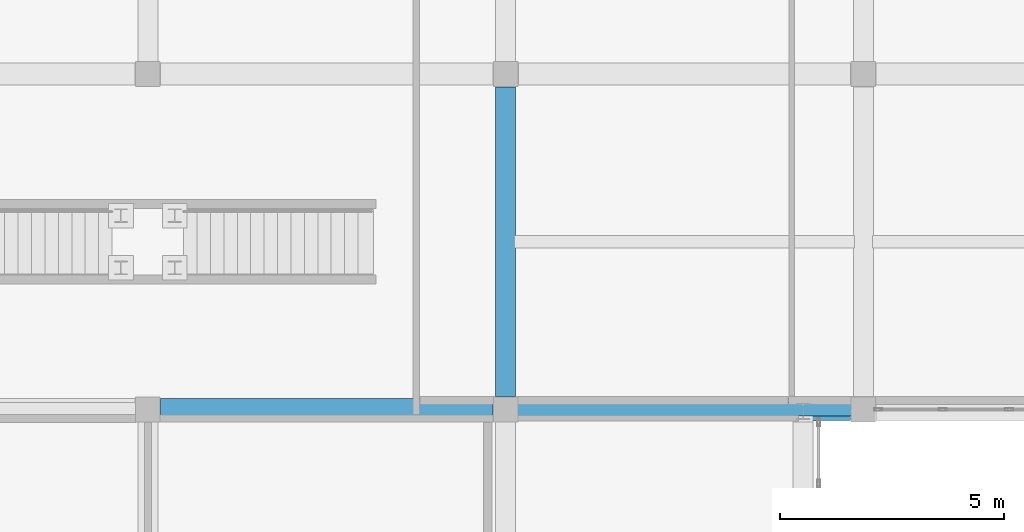
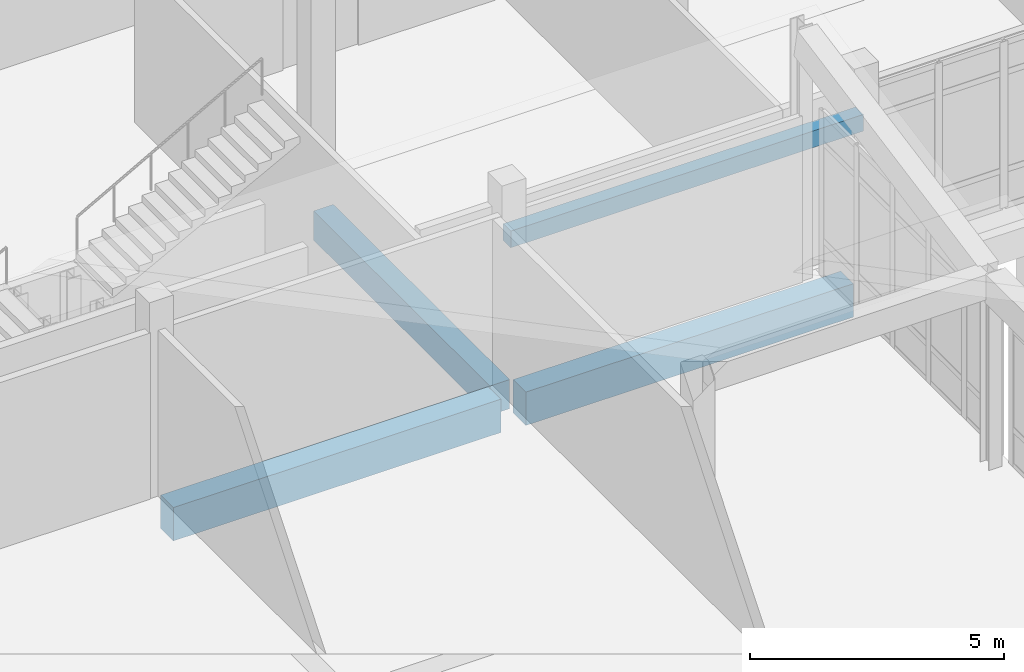
# One storey, part 109 of 173: 4 beams.
"""IFC4 building model written with IfcOpenShell, lengths in metres."""

from ifc_helpers import new_model, si_unit, direction, frame, origin, origin_2d, place, context, subcontext, project, spatial, rectangle, extrude, material, material_profile, profile_set, type_object, element, save


model = new_model("IFC4")

# Units and contexts
model_context = context("Model", 3, precision=1e-05, world=origin(), true_north=direction((0.0, 1.0)))
body_context = subcontext(model_context, "Body", "Model", "MODEL_VIEW")
ifc_project = project(units=[si_unit("LENGTHUNIT", "METRE"), si_unit("AREAUNIT", "SQUARE_METRE"), si_unit("VOLUMEUNIT", "CUBIC_METRE"), si_unit("PLANEANGLEUNIT", "RADIAN"), si_unit("MASSUNIT", "GRAM", prefix="KILO")], contexts=[model_context])

# Site, building, storey
site_placement = place(None, origin())
site = spatial("IfcSite", under=ifc_project, at=site_placement, CompositionType="ELEMENT")
building_placement = place(site_placement, origin())
building = spatial("IfcBuilding", under=site, at=building_placement, Name="Mawjan Specialist Oncology Clinic", CompositionType="ELEMENT")
storey_placement = place(building_placement, origin())
storey = spatial("IfcBuildingStorey", under=building, at=storey_placement, Name="L00", CompositionType="ELEMENT", Elevation=0.0)

# Beams
ifc_material_1 = material(Name="Concrete C40/50", Category="concrete")
ifc_material_profile_1 = material_profile(ifc_material_1, rectangle(XDim=0.449951171875, YDim=0.699951171875, at=origin_2d()), Name="RC BM 450x700", Category="concrete")
ifc_profile_set_1 = profile_set([ifc_material_profile_1], Name="Concrete C40/50")
beam_type_1 = type_object("IfcBeamType", Name="BM-450x700", PredefinedType="BEAM", material=ifc_profile_set_1)
beam_1_placement = place(storey_placement, frame((132.0, 76.0849609375, -0.800048828125), z_axis=(0.0, 1.0, 0.0), x_axis=(-1.0, 0.0, 0.0)))
element("IfcBeam", 1, at=beam_1_placement, inside=storey, type_object=beam_type_1, Name="L00 Collector Beam BM-L00-0197", PredefinedType="BEAM", context=body_context, shape_type="SweptSolid", body=[
    extrude(rectangle(XDim=0.449951171875, YDim=0.699951171875, at=origin_2d()), origin(), (0.0, 0.0, 1.0), 6.929931640625),
])
ifc_material_2 = material(Name="Concrete C45/55", Category="concrete")
ifc_material_profile_2 = material_profile(ifc_material_2, rectangle(XDim=0.5, YDim=0.800048828125, at=origin_2d()), Name="RC BM 500x800", Category="concrete")
ifc_profile_set_2 = profile_set([ifc_material_profile_2], Name="Concrete C45/55")
beam_type_2 = type_object("IfcBeamType", Name="BM-500x800", PredefinedType="BEAM", material=ifc_profile_set_2)
for number, where, z_axis, x_axis, name in (
    (2, (124.284912109375, 75.800048828125, -0.820068359375), (1.0, 0.0, 0.0), (0.0, 1.0, 0.0), "L00 Collector Beam BM-L00-0021"),
    (3, (132.284912109375, 75.800048828125, -0.85009765625), (1.0, 0.0, 0.0), (0.0, 1.0, 0.0), "L00 Collector Beam BM-L00-0022"),
):
    element("IfcBeam", number, at=place(storey_placement, frame(where, z_axis=z_axis, x_axis=x_axis)), inside=storey, type_object=beam_type_2, Name=name, PredefinedType="BEAM", context=body_context, shape_type="SweptSolid", body=[
        extrude(rectangle(XDim=0.5, YDim=0.800048828125, at=origin_2d()), origin(), (0.0, 0.0, 1.0), 7.43017578125),
    ])
ifc_material_3 = material(Name="Concrete C40/50", Category="concrete")
ifc_material_profile_3 = material_profile(ifc_material_3, rectangle(XDim=0.300048828125, YDim=0.39990234375, at=origin_2d()), Name="RC LINTEL 300x400", Category="concrete")
ifc_profile_set_3 = profile_set([ifc_material_profile_3], Name="Concrete C40/50")
beam_type_3 = type_object("IfcBeamType", Name="LNT-300", PredefinedType="LINTEL", material=ifc_profile_set_3)
beam_2_placement = place(storey_placement, frame((132.0, 75.800048828125, 3.25), z_axis=(1.0, 0.0, 0.0), x_axis=(0.0, 1.0, 0.0)))
element("IfcBeam", 4, at=beam_2_placement, inside=storey, type_object=beam_type_3, Name="L00 Reinforced Concrete Lintel 6", PredefinedType="LINTEL", context=body_context, shape_type="SweptSolid", body=[
    extrude(rectangle(XDim=0.300048828125, YDim=0.39990234375, at=origin_2d()), origin(), (0.0, 0.0, 1.0), 8.0),
])

save(model, "model.ifc")
